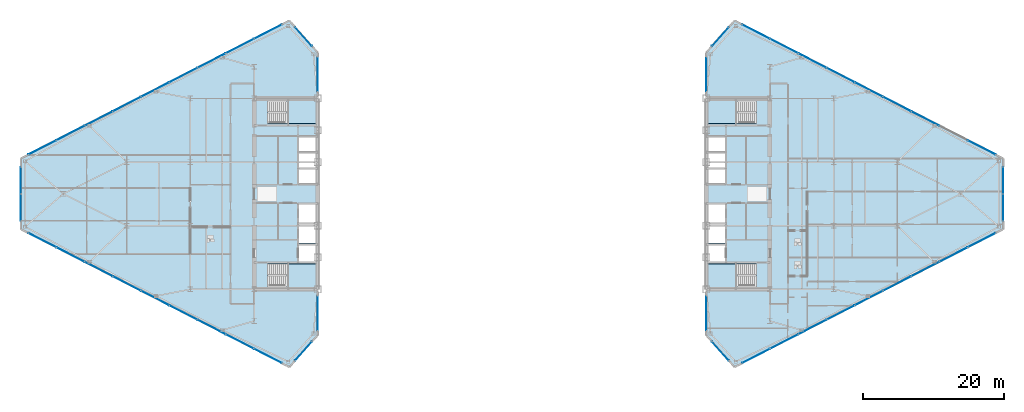
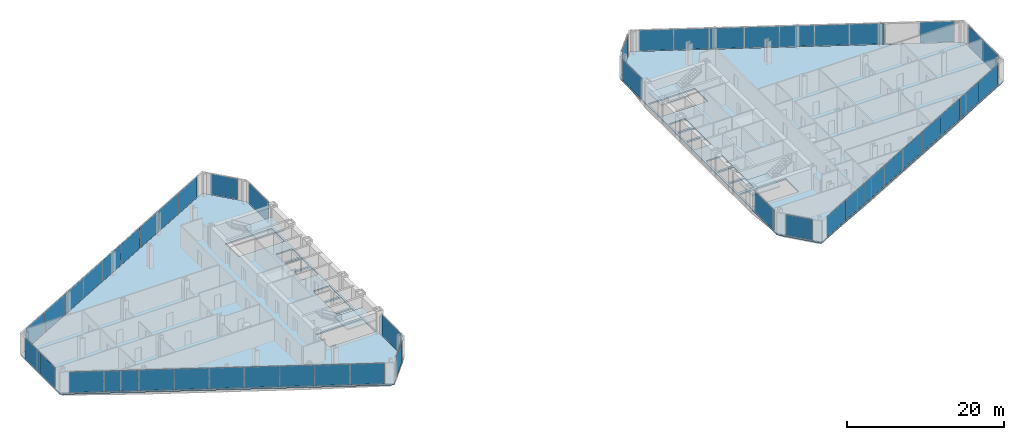
# One storey, part 14 of 23: 47 plates, 6 slabs, 18 elements without a shape of their own.
"""IFC4 building model written with IfcOpenShell, lengths in metres."""

from ifc_helpers import new_model, si_unit, direction, frame, origin, origin_2d, place, context, subcontext, project, spatial, polyline, rectangle, outline, extrude, source, transform, mapped, material, layer, layer_set, type_object, type_shapes, element, aggregate, save


model = new_model("IFC4")

# Units and contexts
model_context = context("Model", 3, precision=1e-05, world=origin(), true_north=direction((0.0, 1.0)))
body_context = subcontext(model_context, "Body", "Model", "MODEL_VIEW")
ifc_project = project(units=[si_unit("LENGTHUNIT", "METRE"), si_unit("AREAUNIT", "SQUARE_METRE"), si_unit("VOLUMEUNIT", "CUBIC_METRE"), si_unit("PLANEANGLEUNIT", "RADIAN"), si_unit("MASSUNIT", "GRAM", prefix="KILO")], contexts=[model_context])

# Site, building, storey
site_placement = place(None, origin())
site = spatial("IfcSite", under=ifc_project, at=site_placement, CompositionType="ELEMENT")
building_placement = place(site_placement, origin())
building = spatial("IfcBuilding", under=site, at=building_placement, Name="Seokmaru Belvedere", CompositionType="ELEMENT")
storey_placement = place(building_placement, frame((0.0, 0.0, 132.0)))
storey = spatial("IfcBuildingStorey", under=building, at=storey_placement, Name="L35", CompositionType="ELEMENT", Elevation=132.0)

# Stair, slab
ifc_material_1 = material(Name="Concrete C40 (40 MPa)", Category="concrete")
stair_type = type_object("IfcStairType", Name="Typical Tower Core Dog-Leg Stair 3600", PredefinedType="TWO_STRAIGHT_RUN_STAIR", material=ifc_material_1)
stair_1_placement = place(storey_placement, origin())
stair_1 = element("IfcStair", 1, at=stair_1_placement, inside=storey, type_object=stair_type, Name="L35 Special Escape Stair ST-W1", PredefinedType="TWO_STRAIGHT_RUN_STAIR")
ifc_layer_1 = layer(ifc_material_1, 0.199951171875)
ifc_layer_set_1 = layer_set([ifc_layer_1], Name="Concrete C40 (40 MPa)")
slab_type_1 = type_object("IfcSlabType", Name="Reinforced Concrete Stair Landing Slab 200", PredefinedType="LANDING", material=ifc_layer_set_1)
slab_1_placement = place(storey_placement, frame((0.0, 0.0, 1.60009765625)))
slab_1 = element("IfcSlab", 2, at=slab_1_placement, type_object=slab_type_1, Name="ST-W1 landing 1", PredefinedType="LANDING", context=body_context, shape_type="SweptSolid", body=[
    extrude(outline(polyline([(-31.8798828125, -13.239990234375), (-27.760009765625, -13.239990234375), (-27.760009765625, -9.949951171875), (-31.8798828125, -9.949951171875), (-31.8798828125, -13.239990234375)])), origin(), (0.0, 0.0, 1.0), 0.199951171875),
])
aggregate(stair_1, [slab_1])

stair_2_placement = place(storey_placement, origin())
stair_2 = element("IfcStair", 3, at=stair_2_placement, inside=storey, type_object=stair_type, Name="L35 Special Escape Stair ST-W2", PredefinedType="TWO_STRAIGHT_RUN_STAIR")
slab_2_placement = place(storey_placement, frame((0.0, 0.0, 1.60009765625)))
slab_2 = element("IfcSlab", 4, at=slab_2_placement, type_object=slab_type_1, Name="ST-W2 landing 1", PredefinedType="LANDING", context=body_context, shape_type="SweptSolid", body=[
    extrude(outline(polyline([(-31.8798828125, 9.949951171875), (-27.760009765625, 9.949951171875), (-27.760009765625, 13.239990234375), (-31.8798828125, 13.239990234375), (-31.8798828125, 9.949951171875)])), origin(), (0.0, 0.0, 1.0), 0.199951171875),
])
aggregate(stair_2, [slab_2])

stair_3_placement = place(storey_placement, origin())
stair_3 = element("IfcStair", 5, at=stair_3_placement, inside=storey, type_object=stair_type, Name="L35 Special Escape Stair ST-E1", PredefinedType="TWO_STRAIGHT_RUN_STAIR")
slab_3_placement = place(storey_placement, frame((0.0, 0.0, 1.60009765625)))
slab_3 = element("IfcSlab", 6, at=slab_3_placement, type_object=slab_type_1, Name="ST-E1 landing 1", PredefinedType="LANDING", context=body_context, shape_type="SweptSolid", body=[
    extrude(outline(polyline([(27.760009765625, -13.239990234375), (31.8798828125, -13.239990234375), (31.8798828125, -9.949951171875), (27.760009765625, -9.949951171875), (27.760009765625, -13.239990234375)])), origin(), (0.0, 0.0, 1.0), 0.199951171875),
])
aggregate(stair_3, [slab_3])

stair_4_placement = place(storey_placement, origin())
stair_4 = element("IfcStair", 7, at=stair_4_placement, inside=storey, type_object=stair_type, Name="L35 Special Escape Stair ST-E2", PredefinedType="TWO_STRAIGHT_RUN_STAIR")
slab_4_placement = place(storey_placement, frame((0.0, 0.0, 1.60009765625)))
slab_4 = element("IfcSlab", 8, at=slab_4_placement, type_object=slab_type_1, Name="ST-E2 landing 1", PredefinedType="LANDING", context=body_context, shape_type="SweptSolid", body=[
    extrude(outline(polyline([(27.760009765625, 9.949951171875), (31.8798828125, 9.949951171875), (31.8798828125, 13.239990234375), (27.760009765625, 13.239990234375), (27.760009765625, 9.949951171875)])), origin(), (0.0, 0.0, 1.0), 0.199951171875),
])
aggregate(stair_4, [slab_4])

# Slabs
ifc_layer_2 = layer(ifc_material_1, 0.219970703125)
ifc_layer_set_2 = layer_set([ifc_layer_2], Name="Concrete C40 (40 MPa)")
slab_type_2 = type_object("IfcSlabType", Name="Typical Tower Composite Floor Slab 220", PredefinedType="FLOOR", material=ifc_layer_set_2)
slab_5_placement = place(storey_placement, frame((0.0, 0.0, -0.219970703125)))
element("IfcSlab", 9, at=slab_5_placement, inside=storey, type_object=slab_type_2, Name="L35 West Leg Floor Slab", PredefinedType="FLOOR", context=body_context, shape_type="SweptSolid", body=[
    extrude(outline(polyline([(-27.5, -20.0), (-27.5, 20.0), (-31.5, 24.5), (-69.5, 5.0), (-69.5, -5.0), (-31.5, -24.5), (-27.5, -20.0)]), holes=[polyline([(-34.60009765625, -13.25), (-27.75, -13.25), (-27.75, -9.949951171875), (-34.60009765625, -9.949951171875), (-34.60009765625, -13.25)]), polyline([(-34.60009765625, 9.949951171875), (-27.75, 9.949951171875), (-27.75, 13.25), (-34.60009765625, 13.25), (-34.60009765625, 9.949951171875)]), polyline([(-30.14990234375, -9.550048828125), (-27.75, -9.550048828125), (-27.75, -7.25), (-30.14990234375, -7.25), (-30.14990234375, -9.550048828125)]), polyline([(-30.14990234375, -6.949951171875), (-27.75, -6.949951171875), (-27.75, -4.35009765625), (-30.14990234375, -4.35009765625), (-30.14990234375, -6.949951171875)]), polyline([(-30.14990234375, -4.050048828125), (-27.75, -4.050048828125), (-27.75, -1.449951171875), (-30.14990234375, -1.449951171875), (-30.14990234375, -4.050048828125)]), polyline([(-30.14990234375, 1.449951171875), (-27.75, 1.449951171875), (-27.75, 3.449951171875), (-30.14990234375, 3.449951171875), (-30.14990234375, 1.449951171875)]), polyline([(-30.14990234375, 3.75), (-27.75, 3.75), (-27.75, 5.75), (-30.14990234375, 5.75), (-30.14990234375, 3.75)]), polyline([(-30.14990234375, 6.050048828125), (-27.75, 6.050048828125), (-27.75, 8.050048828125), (-30.14990234375, 8.050048828125), (-30.14990234375, 6.050048828125)])]), origin(), (0.0, 0.0, 1.0), 0.219970703125),
])
slab_6_placement = place(storey_placement, frame((0.0, 0.0, -0.219970703125)))
element("IfcSlab", 10, at=slab_6_placement, inside=storey, type_object=slab_type_2, Name="L35 East Leg Floor Slab", PredefinedType="FLOOR", context=body_context, shape_type="SweptSolid", body=[
    extrude(outline(polyline([(31.5, -24.5), (69.5, -5.0), (69.5, 5.0), (31.5, 24.5), (27.5, 20.0), (27.5, -20.0), (31.5, -24.5)]), holes=[polyline([(27.75, -13.25), (34.60009765625, -13.25), (34.60009765625, -9.949951171875), (27.75, -9.949951171875), (27.75, -13.25)]), polyline([(27.75, 9.949951171875), (34.60009765625, 9.949951171875), (34.60009765625, 13.25), (27.75, 13.25), (27.75, 9.949951171875)]), polyline([(27.75, -9.550048828125), (30.14990234375, -9.550048828125), (30.14990234375, -7.25), (27.75, -7.25), (27.75, -9.550048828125)]), polyline([(27.75, -6.949951171875), (30.14990234375, -6.949951171875), (30.14990234375, -4.35009765625), (27.75, -4.35009765625), (27.75, -6.949951171875)]), polyline([(27.75, -4.050048828125), (30.14990234375, -4.050048828125), (30.14990234375, -1.449951171875), (27.75, -1.449951171875), (27.75, -4.050048828125)]), polyline([(27.75, 1.449951171875), (30.14990234375, 1.449951171875), (30.14990234375, 3.449951171875), (27.75, 3.449951171875), (27.75, 1.449951171875)]), polyline([(27.75, 3.75), (30.14990234375, 3.75), (30.14990234375, 5.75), (27.75, 5.75), (27.75, 3.75)]), polyline([(27.75, 6.050048828125), (30.14990234375, 6.050048828125), (30.14990234375, 8.050048828125), (27.75, 8.050048828125), (27.75, 6.050048828125)])]), origin(), (0.0, 0.0, 1.0), 0.219970703125),
])

# Curtain wall, plate
ifc_material_2 = material(Name="Bronze Triple Insulating Glass", Category="glass")
ifc_layer_3 = layer(ifc_material_2, 0.195068359375)
ifc_layer_set_3 = layer_set([ifc_layer_3], Name="Bronze Triple Insulating Glass")
curtain_wall_type = type_object("IfcCurtainWallType", Name="Sky-Lobby and Mid-Rise Curtain Wall System CW-4", PredefinedType="NOTDEFINED", material=ifc_layer_set_3)
curtain_wall_1_placement = place(storey_placement, origin())
curtain_wall_1 = element("IfcCurtainWall", 11, at=curtain_wall_1_placement, inside=storey, type_object=curtain_wall_type, Name="L35 Curtain Wall WSP_1", PredefinedType="NOTDEFINED")
ifc_layer_4 = layer(ifc_material_2, 0.035888671875)
ifc_layer_set_4 = layer_set([ifc_layer_4], Name="Bronze Triple Insulating Glass")
plate_type = type_object("IfcPlateType", Name="Bronze Triple Vision Glazing Panel 36", PredefinedType="CURTAIN_PANEL", material=ifc_layer_set_4)
shared_shape_1 = source(origin(), body_context, "Body", "SweptSolid", [
    extrude(rectangle(XDim=4.909912109375, YDim=0.035888671875, at=origin_2d()), origin(), (0.0, 0.0, 1.0), 3.2099609375),
])
plate_1_placement = place(storey_placement, frame((-27.5, -16.905029296875, 0.06494140625), z_axis=(0.0, 0.0, 1.0), x_axis=(0.0, 1.0, 0.0)))
plate_1 = element("IfcPlate", 12, at=plate_1_placement, type_object=plate_type, Name="CW:L35:WSP_1 Glazing Panel 1-1", PredefinedType="CURTAIN_PANEL", context=body_context, shape_type="MappedRepresentation", body=[
    mapped(shared_shape_1, transform((0.0, 0.0, 0.0), scale=1.0)),
])
aggregate(curtain_wall_1, [plate_1])

curtain_wall_2_placement = place(storey_placement, origin())
curtain_wall_2 = element("IfcCurtainWall", 13, at=curtain_wall_2_placement, inside=storey, type_object=curtain_wall_type, Name="L35 Curtain Wall WSP_2", PredefinedType="NOTDEFINED")
plate_2_placement = place(storey_placement, frame((-27.5, 16.905029296875, 0.06494140625), z_axis=(0.0, 0.0, 1.0), x_axis=(0.0, 1.0, 0.0)))
plate_2 = element("IfcPlate", 14, at=plate_2_placement, type_object=plate_type, Name="CW:L35:WSP_2 Glazing Panel 1-1", PredefinedType="CURTAIN_PANEL", context=body_context, shape_type="MappedRepresentation", body=[
    mapped(shared_shape_1, transform((0.0, 0.0, 0.0), scale=1.0)),
])
aggregate(curtain_wall_2, [plate_2])

curtain_wall_3_placement = place(storey_placement, origin())
curtain_wall_3 = element("IfcCurtainWall", 15, at=curtain_wall_3_placement, inside=storey, type_object=curtain_wall_type, Name="L35 Curtain Wall ESP_1", PredefinedType="NOTDEFINED")
plate_3_placement = place(storey_placement, frame((27.5, -16.905029296875, 0.06494140625), z_axis=(0.0, 0.0, 1.0), x_axis=(0.0, -1.0, 0.0)))
plate_3 = element("IfcPlate", 16, at=plate_3_placement, type_object=plate_type, Name="CW:L35:ESP_1 Glazing Panel 1-1", PredefinedType="CURTAIN_PANEL", context=body_context, shape_type="MappedRepresentation", body=[
    mapped(shared_shape_1, transform((0.0, 0.0, 0.0), scale=1.0)),
])
aggregate(curtain_wall_3, [plate_3])

curtain_wall_4_placement = place(storey_placement, origin())
curtain_wall_4 = element("IfcCurtainWall", 17, at=curtain_wall_4_placement, inside=storey, type_object=curtain_wall_type, Name="L35 Curtain Wall ESP_2", PredefinedType="NOTDEFINED")
plate_4_placement = place(storey_placement, frame((27.5, 16.905029296875, 0.06494140625), z_axis=(0.0, 0.0, 1.0), x_axis=(0.0, -1.0, 0.0)))
plate_4 = element("IfcPlate", 18, at=plate_4_placement, type_object=plate_type, Name="CW:L35:ESP_2 Glazing Panel 1-1", PredefinedType="CURTAIN_PANEL", context=body_context, shape_type="MappedRepresentation", body=[
    mapped(shared_shape_1, transform((0.0, 0.0, 0.0), scale=1.0)),
])
aggregate(curtain_wall_4, [plate_4])

curtain_wall_5_placement = place(storey_placement, origin())
curtain_wall_5 = element("IfcCurtainWall", 19, at=curtain_wall_5_placement, inside=storey, type_object=curtain_wall_type, Name="L35 Curtain Wall WF2", PredefinedType="NOTDEFINED")
shared_shape_2 = source(origin(), body_context, "Body", "SweptSolid", [
    extrude(rectangle(XDim=3.580810546875, YDim=0.035888671875, at=origin_2d()), origin(), (0.0, 0.0, 1.0), 3.2099609375),
])
plate_5_placement = place(storey_placement, frame((-29.5, 22.25, 0.06494140625), z_axis=(0.0, 0.0, 1.0), x_axis=(-0.664363325694, 0.747409774804, 0.0)))
plate_5 = element("IfcPlate", 20, at=plate_5_placement, type_object=plate_type, Name="CW:L35:WF2 Glazing Panel 1-1", PredefinedType="CURTAIN_PANEL", context=body_context, shape_type="MappedRepresentation", body=[
    mapped(shared_shape_2, transform((0.0, 0.0, 0.0), scale=1.0)),
])
aggregate(curtain_wall_5, [plate_5])

curtain_wall_6_placement = place(storey_placement, origin())
curtain_wall_6 = element("IfcCurtainWall", 21, at=curtain_wall_6_placement, inside=storey, type_object=curtain_wall_type, Name="L35 Curtain Wall WF6", PredefinedType="NOTDEFINED")
plate_6_placement = place(storey_placement, frame((-29.5, -22.25, 0.06494140625), z_axis=(0.0, 0.0, 1.0), x_axis=(0.664363325694, 0.747409774804, 0.0)))
plate_6 = element("IfcPlate", 22, at=plate_6_placement, type_object=plate_type, Name="CW:L35:WF6 Glazing Panel 1-1", PredefinedType="CURTAIN_PANEL", context=body_context, shape_type="MappedRepresentation", body=[
    mapped(shared_shape_2, transform((0.0, 0.0, 0.0), scale=1.0)),
])
aggregate(curtain_wall_6, [plate_6])

curtain_wall_7_placement = place(storey_placement, origin())
curtain_wall_7 = element("IfcCurtainWall", 23, at=curtain_wall_7_placement, inside=storey, type_object=curtain_wall_type, Name="L35 Curtain Wall EF4", PredefinedType="NOTDEFINED")
plate_7_placement = place(storey_placement, frame((29.5, 22.25, 0.06494140625), z_axis=(0.0, 0.0, 1.0), x_axis=(-0.664363325694, -0.747409774804, 0.0)))
plate_7 = element("IfcPlate", 24, at=plate_7_placement, type_object=plate_type, Name="CW:L35:EF4 Glazing Panel 1-1", PredefinedType="CURTAIN_PANEL", context=body_context, shape_type="MappedRepresentation", body=[
    mapped(shared_shape_2, transform((0.0, 0.0, 0.0), scale=1.0)),
])
aggregate(curtain_wall_7, [plate_7])

curtain_wall_8_placement = place(storey_placement, origin())
curtain_wall_8 = element("IfcCurtainWall", 25, at=curtain_wall_8_placement, inside=storey, type_object=curtain_wall_type, Name="L35 Curtain Wall EF6", PredefinedType="NOTDEFINED")
plate_8_placement = place(storey_placement, frame((29.5, -22.25, 0.06494140625), z_axis=(0.0, 0.0, 1.0), x_axis=(0.664363325694, -0.747409774804, 0.0)))
plate_8 = element("IfcPlate", 26, at=plate_8_placement, type_object=plate_type, Name="CW:L35:EF6 Glazing Panel 1-1", PredefinedType="CURTAIN_PANEL", context=body_context, shape_type="MappedRepresentation", body=[
    mapped(shared_shape_2, transform((0.0, 0.0, 0.0), scale=1.0)),
])
aggregate(curtain_wall_8, [plate_8])

# Curtain wall, plates
curtain_wall_9_placement = place(storey_placement, origin())
curtain_wall_9 = element("IfcCurtainWall", 27, at=curtain_wall_9_placement, inside=storey, type_object=curtain_wall_type, Name="L35 Curtain Wall WF3", PredefinedType="NOTDEFINED")
shared_shape_3 = source(origin(), body_context, "Body", "SweptSolid", [
    extrude(rectangle(XDim=4.38525390625, YDim=0.035888671875, at=origin_2d()), origin(), (0.0, 0.0, 1.0), 3.2099609375),
])
plate_9_placement = place(storey_placement, frame((-34.5361328125, 22.94189453125, 0.06494140625), z_axis=(0.0, 0.0, 1.0), x_axis=(-0.889695432562, -0.456554528263, 0.0)))
plate_9 = element("IfcPlate", 28, at=plate_9_placement, type_object=plate_type, Name="CW:L35:WF3 Glazing Panel 1-1", PredefinedType="CURTAIN_PANEL", context=body_context, shape_type="MappedRepresentation", body=[
    mapped(shared_shape_3, transform((0.0, 0.0, 0.0), scale=1.0)),
])
plate_10_placement = place(storey_placement, frame((-66.4638671875, 6.55810546875, 0.06494140625), z_axis=(0.0, 0.0, 1.0), x_axis=(-0.889695432562, -0.456554528263, 0.0)))
plate_10 = element("IfcPlate", 29, at=plate_10_placement, type_object=plate_type, Name="CW:L35:WF3 Glazing Panel 9-1", PredefinedType="CURTAIN_PANEL", context=body_context, shape_type="MappedRepresentation", body=[
    mapped(shared_shape_3, transform((0.0, 0.0, 0.0), scale=1.0)),
])

curtain_wall_10_placement = place(storey_placement, origin())
curtain_wall_10 = element("IfcCurtainWall", 30, at=curtain_wall_10_placement, inside=storey, type_object=curtain_wall_type, Name="L35 Curtain Wall WF5", PredefinedType="NOTDEFINED")
plate_11_placement = place(storey_placement, frame((-66.4638671875, -6.55810546875, 0.06494140625), z_axis=(0.0, 0.0, 1.0), x_axis=(0.889695432562, -0.456554528263, 0.0)))
plate_11 = element("IfcPlate", 31, at=plate_11_placement, type_object=plate_type, Name="CW:L35:WF5 Glazing Panel 1-1", PredefinedType="CURTAIN_PANEL", context=body_context, shape_type="MappedRepresentation", body=[
    mapped(shared_shape_3, transform((0.0, 0.0, 0.0), scale=1.0)),
])
plate_12_placement = place(storey_placement, frame((-34.5361328125, -22.94189453125, 0.06494140625), z_axis=(0.0, 0.0, 1.0), x_axis=(0.889695432562, -0.456554528263, 0.0)))
plate_12 = element("IfcPlate", 32, at=plate_12_placement, type_object=plate_type, Name="CW:L35:WF5 Glazing Panel 9-1", PredefinedType="CURTAIN_PANEL", context=body_context, shape_type="MappedRepresentation", body=[
    mapped(shared_shape_3, transform((0.0, 0.0, 0.0), scale=1.0)),
])

curtain_wall_11_placement = place(storey_placement, origin())
curtain_wall_11 = element("IfcCurtainWall", 33, at=curtain_wall_11_placement, inside=storey, type_object=curtain_wall_type, Name="L35 Curtain Wall EF1", PredefinedType="NOTDEFINED")
plate_13_placement = place(storey_placement, frame((34.5361328125, -22.94189453125, 0.06494140625), z_axis=(0.0, 0.0, 1.0), x_axis=(0.889695432562, 0.456554528263, 0.0)))
plate_13 = element("IfcPlate", 34, at=plate_13_placement, type_object=plate_type, Name="CW:L35:EF1 Glazing Panel 1-1", PredefinedType="CURTAIN_PANEL", context=body_context, shape_type="MappedRepresentation", body=[
    mapped(shared_shape_3, transform((0.0, 0.0, 0.0), scale=1.0)),
])
plate_14_placement = place(storey_placement, frame((66.4638671875, -6.55810546875, 0.06494140625), z_axis=(0.0, 0.0, 1.0), x_axis=(0.889695432562, 0.456554528263, 0.0)))
plate_14 = element("IfcPlate", 35, at=plate_14_placement, type_object=plate_type, Name="CW:L35:EF1 Glazing Panel 9-1", PredefinedType="CURTAIN_PANEL", context=body_context, shape_type="MappedRepresentation", body=[
    mapped(shared_shape_3, transform((0.0, 0.0, 0.0), scale=1.0)),
])

curtain_wall_12_placement = place(storey_placement, origin())
curtain_wall_12 = element("IfcCurtainWall", 36, at=curtain_wall_12_placement, inside=storey, type_object=curtain_wall_type, Name="L35 Curtain Wall EF3", PredefinedType="NOTDEFINED")
plate_15_placement = place(storey_placement, frame((66.4638671875, 6.55810546875, 0.06494140625), z_axis=(0.0, 0.0, 1.0), x_axis=(-0.889695432562, 0.456554528263, 0.0)))
plate_15 = element("IfcPlate", 37, at=plate_15_placement, type_object=plate_type, Name="CW:L35:EF3 Glazing Panel 1-1", PredefinedType="CURTAIN_PANEL", context=body_context, shape_type="MappedRepresentation", body=[
    mapped(shared_shape_3, transform((0.0, 0.0, 0.0), scale=1.0)),
])
plate_16_placement = place(storey_placement, frame((34.5361328125, 22.94189453125, 0.06494140625), z_axis=(0.0, 0.0, 1.0), x_axis=(-0.889695432562, 0.456554528263, 0.0)))
plate_16 = element("IfcPlate", 38, at=plate_16_placement, type_object=plate_type, Name="CW:L35:EF3 Glazing Panel 9-1", PredefinedType="CURTAIN_PANEL", context=body_context, shape_type="MappedRepresentation", body=[
    mapped(shared_shape_3, transform((0.0, 0.0, 0.0), scale=1.0)),
])

# Plate
shared_shape_4 = source(origin(), body_context, "Body", "SweptSolid", [
    extrude(rectangle(XDim=4.420166015625, YDim=0.035888671875, at=origin_2d()), origin(), (0.0, 0.0, 1.0), 3.2099609375),
])
plate_17_placement = place(storey_placement, frame((-38.515380859375, 20.89990234375, 0.06494140625), z_axis=(0.0, 0.0, 1.0), x_axis=(-0.889695432562, -0.456554528263, 0.0)))
plate_17 = element("IfcPlate", 39, at=plate_17_placement, type_object=plate_type, Name="CW:L35:WF3 Glazing Panel 2-1", PredefinedType="CURTAIN_PANEL", context=body_context, shape_type="MappedRepresentation", body=[
    mapped(shared_shape_4, transform((0.0, 0.0, 0.0), scale=1.0)),
])

plate_18_placement = place(storey_placement, frame((-42.51025390625, 18.85009765625, 0.06494140625), z_axis=(0.0, 0.0, 1.0), x_axis=(-0.889695432562, -0.456554528263, 0.0)))
plate_18 = element("IfcPlate", 40, at=plate_18_placement, type_object=plate_type, Name="CW:L35:WF3 Glazing Panel 3-1", PredefinedType="CURTAIN_PANEL", context=body_context, shape_type="MappedRepresentation", body=[
    mapped(shared_shape_4, transform((0.0, 0.0, 0.0), scale=1.0)),
])

plate_19_placement = place(storey_placement, frame((-46.505126953125, 16.800048828125, 0.06494140625), z_axis=(0.0, 0.0, 1.0), x_axis=(-0.889695432562, -0.456554528263, 0.0)))
plate_19 = element("IfcPlate", 41, at=plate_19_placement, type_object=plate_type, Name="CW:L35:WF3 Glazing Panel 4-1", PredefinedType="CURTAIN_PANEL", context=body_context, shape_type="MappedRepresentation", body=[
    mapped(shared_shape_4, transform((0.0, 0.0, 0.0), scale=1.0)),
])

plate_20_placement = place(storey_placement, frame((-50.5, 14.75, 0.06494140625), z_axis=(0.0, 0.0, 1.0), x_axis=(-0.889695432562, -0.456554528263, 0.0)))
plate_20 = element("IfcPlate", 42, at=plate_20_placement, type_object=plate_type, Name="CW:L35:WF3 Glazing Panel 5-1", PredefinedType="CURTAIN_PANEL", context=body_context, shape_type="MappedRepresentation", body=[
    mapped(shared_shape_4, transform((0.0, 0.0, 0.0), scale=1.0)),
])

plate_21_placement = place(storey_placement, frame((-54.494873046875, 12.699951171875, 0.06494140625), z_axis=(0.0, 0.0, 1.0), x_axis=(-0.889695432562, -0.456554528263, 0.0)))
plate_21 = element("IfcPlate", 43, at=plate_21_placement, type_object=plate_type, Name="CW:L35:WF3 Glazing Panel 6-1", PredefinedType="CURTAIN_PANEL", context=body_context, shape_type="MappedRepresentation", body=[
    mapped(shared_shape_4, transform((0.0, 0.0, 0.0), scale=1.0)),
])

plate_22_placement = place(storey_placement, frame((-58.48974609375, 10.64990234375, 0.06494140625), z_axis=(0.0, 0.0, 1.0), x_axis=(-0.889695432562, -0.456554528263, 0.0)))
plate_22 = element("IfcPlate", 44, at=plate_22_placement, type_object=plate_type, Name="CW:L35:WF3 Glazing Panel 7-1", PredefinedType="CURTAIN_PANEL", context=body_context, shape_type="MappedRepresentation", body=[
    mapped(shared_shape_4, transform((0.0, 0.0, 0.0), scale=1.0)),
])

plate_23_placement = place(storey_placement, frame((-62.484619140625, 8.60009765625, 0.06494140625), z_axis=(0.0, 0.0, 1.0), x_axis=(-0.889695432562, -0.456554528263, 0.0)))
plate_23 = element("IfcPlate", 45, at=plate_23_placement, type_object=plate_type, Name="CW:L35:WF3 Glazing Panel 8-1", PredefinedType="CURTAIN_PANEL", context=body_context, shape_type="MappedRepresentation", body=[
    mapped(shared_shape_4, transform((0.0, 0.0, 0.0), scale=1.0)),
])

aggregate(curtain_wall_9, [plate_9, plate_17, plate_18, plate_19, plate_20, plate_21, plate_22, plate_23, plate_10])

plate_24_placement = place(storey_placement, frame((-62.484619140625, -8.60009765625, 0.06494140625), z_axis=(0.0, 0.0, 1.0), x_axis=(0.889695432562, -0.456554528263, 0.0)))
plate_24 = element("IfcPlate", 46, at=plate_24_placement, type_object=plate_type, Name="CW:L35:WF5 Glazing Panel 2-1", PredefinedType="CURTAIN_PANEL", context=body_context, shape_type="MappedRepresentation", body=[
    mapped(shared_shape_4, transform((0.0, 0.0, 0.0), scale=1.0)),
])

plate_25_placement = place(storey_placement, frame((-58.48974609375, -10.64990234375, 0.06494140625), z_axis=(0.0, 0.0, 1.0), x_axis=(0.889695432562, -0.456554528263, 0.0)))
plate_25 = element("IfcPlate", 47, at=plate_25_placement, type_object=plate_type, Name="CW:L35:WF5 Glazing Panel 3-1", PredefinedType="CURTAIN_PANEL", context=body_context, shape_type="MappedRepresentation", body=[
    mapped(shared_shape_4, transform((0.0, 0.0, 0.0), scale=1.0)),
])

plate_26_placement = place(storey_placement, frame((-54.494873046875, -12.699951171875, 0.06494140625), z_axis=(0.0, 0.0, 1.0), x_axis=(0.889695432562, -0.456554528263, 0.0)))
plate_26 = element("IfcPlate", 48, at=plate_26_placement, type_object=plate_type, Name="CW:L35:WF5 Glazing Panel 4-1", PredefinedType="CURTAIN_PANEL", context=body_context, shape_type="MappedRepresentation", body=[
    mapped(shared_shape_4, transform((0.0, 0.0, 0.0), scale=1.0)),
])

plate_27_placement = place(storey_placement, frame((-50.5, -14.75, 0.06494140625), z_axis=(0.0, 0.0, 1.0), x_axis=(0.889695432562, -0.456554528263, 0.0)))
plate_27 = element("IfcPlate", 49, at=plate_27_placement, type_object=plate_type, Name="CW:L35:WF5 Glazing Panel 5-1", PredefinedType="CURTAIN_PANEL", context=body_context, shape_type="MappedRepresentation", body=[
    mapped(shared_shape_4, transform((0.0, 0.0, 0.0), scale=1.0)),
])

plate_28_placement = place(storey_placement, frame((-46.505126953125, -16.800048828125, 0.06494140625), z_axis=(0.0, 0.0, 1.0), x_axis=(0.889695432562, -0.456554528263, 0.0)))
plate_28 = element("IfcPlate", 50, at=plate_28_placement, type_object=plate_type, Name="CW:L35:WF5 Glazing Panel 6-1", PredefinedType="CURTAIN_PANEL", context=body_context, shape_type="MappedRepresentation", body=[
    mapped(shared_shape_4, transform((0.0, 0.0, 0.0), scale=1.0)),
])

plate_29_placement = place(storey_placement, frame((-42.51025390625, -18.85009765625, 0.06494140625), z_axis=(0.0, 0.0, 1.0), x_axis=(0.889695432562, -0.456554528263, 0.0)))
plate_29 = element("IfcPlate", 51, at=plate_29_placement, type_object=plate_type, Name="CW:L35:WF5 Glazing Panel 7-1", PredefinedType="CURTAIN_PANEL", context=body_context, shape_type="MappedRepresentation", body=[
    mapped(shared_shape_4, transform((0.0, 0.0, 0.0), scale=1.0)),
])

plate_30_placement = place(storey_placement, frame((-38.515380859375, -20.89990234375, 0.06494140625), z_axis=(0.0, 0.0, 1.0), x_axis=(0.889695432562, -0.456554528263, 0.0)))
plate_30 = element("IfcPlate", 52, at=plate_30_placement, type_object=plate_type, Name="CW:L35:WF5 Glazing Panel 8-1", PredefinedType="CURTAIN_PANEL", context=body_context, shape_type="MappedRepresentation", body=[
    mapped(shared_shape_4, transform((0.0, 0.0, 0.0), scale=1.0)),
])

aggregate(curtain_wall_10, [plate_11, plate_24, plate_25, plate_26, plate_27, plate_28, plate_29, plate_30, plate_12])

plate_31_placement = place(storey_placement, frame((38.515380859375, -20.89990234375, 0.06494140625), z_axis=(0.0, 0.0, 1.0), x_axis=(0.889695432562, 0.456554528263, 0.0)))
plate_31 = element("IfcPlate", 53, at=plate_31_placement, type_object=plate_type, Name="CW:L35:EF1 Glazing Panel 2-1", PredefinedType="CURTAIN_PANEL", context=body_context, shape_type="MappedRepresentation", body=[
    mapped(shared_shape_4, transform((0.0, 0.0, 0.0), scale=1.0)),
])

plate_32_placement = place(storey_placement, frame((42.51025390625, -18.85009765625, 0.06494140625), z_axis=(0.0, 0.0, 1.0), x_axis=(0.889695432562, 0.456554528263, 0.0)))
plate_32 = element("IfcPlate", 54, at=plate_32_placement, type_object=plate_type, Name="CW:L35:EF1 Glazing Panel 3-1", PredefinedType="CURTAIN_PANEL", context=body_context, shape_type="MappedRepresentation", body=[
    mapped(shared_shape_4, transform((0.0, 0.0, 0.0), scale=1.0)),
])

plate_33_placement = place(storey_placement, frame((46.505126953125, -16.800048828125, 0.06494140625), z_axis=(0.0, 0.0, 1.0), x_axis=(0.889695432562, 0.456554528263, 0.0)))
plate_33 = element("IfcPlate", 55, at=plate_33_placement, type_object=plate_type, Name="CW:L35:EF1 Glazing Panel 4-1", PredefinedType="CURTAIN_PANEL", context=body_context, shape_type="MappedRepresentation", body=[
    mapped(shared_shape_4, transform((0.0, 0.0, 0.0), scale=1.0)),
])

plate_34_placement = place(storey_placement, frame((50.5, -14.75, 0.06494140625), z_axis=(0.0, 0.0, 1.0), x_axis=(0.889695432562, 0.456554528263, 0.0)))
plate_34 = element("IfcPlate", 56, at=plate_34_placement, type_object=plate_type, Name="CW:L35:EF1 Glazing Panel 5-1", PredefinedType="CURTAIN_PANEL", context=body_context, shape_type="MappedRepresentation", body=[
    mapped(shared_shape_4, transform((0.0, 0.0, 0.0), scale=1.0)),
])

plate_35_placement = place(storey_placement, frame((54.494873046875, -12.699951171875, 0.06494140625), z_axis=(0.0, 0.0, 1.0), x_axis=(0.889695432562, 0.456554528263, 0.0)))
plate_35 = element("IfcPlate", 57, at=plate_35_placement, type_object=plate_type, Name="CW:L35:EF1 Glazing Panel 6-1", PredefinedType="CURTAIN_PANEL", context=body_context, shape_type="MappedRepresentation", body=[
    mapped(shared_shape_4, transform((0.0, 0.0, 0.0), scale=1.0)),
])

plate_36_placement = place(storey_placement, frame((58.48974609375, -10.64990234375, 0.06494140625), z_axis=(0.0, 0.0, 1.0), x_axis=(0.889695432562, 0.456554528263, 0.0)))
plate_36 = element("IfcPlate", 58, at=plate_36_placement, type_object=plate_type, Name="CW:L35:EF1 Glazing Panel 7-1", PredefinedType="CURTAIN_PANEL", context=body_context, shape_type="MappedRepresentation", body=[
    mapped(shared_shape_4, transform((0.0, 0.0, 0.0), scale=1.0)),
])

plate_37_placement = place(storey_placement, frame((62.484619140625, -8.60009765625, 0.06494140625), z_axis=(0.0, 0.0, 1.0), x_axis=(0.889695432562, 0.456554528263, 0.0)))
plate_37 = element("IfcPlate", 59, at=plate_37_placement, type_object=plate_type, Name="CW:L35:EF1 Glazing Panel 8-1", PredefinedType="CURTAIN_PANEL", context=body_context, shape_type="MappedRepresentation", body=[
    mapped(shared_shape_4, transform((0.0, 0.0, 0.0), scale=1.0)),
])

aggregate(curtain_wall_11, [plate_13, plate_31, plate_32, plate_33, plate_34, plate_35, plate_36, plate_37, plate_14])

plate_38_placement = place(storey_placement, frame((58.48974609375, 10.64990234375, 0.06494140625), z_axis=(0.0, 0.0, 1.0), x_axis=(-0.889695432562, 0.456554528263, 0.0)))
plate_38 = element("IfcPlate", 60, at=plate_38_placement, type_object=plate_type, Name="CW:L35:EF3 Glazing Panel 3-1", PredefinedType="CURTAIN_PANEL", context=body_context, shape_type="MappedRepresentation", body=[
    mapped(shared_shape_4, transform((0.0, 0.0, 0.0), scale=1.0)),
])

plate_39_placement = place(storey_placement, frame((54.494873046875, 12.699951171875, 0.06494140625), z_axis=(0.0, 0.0, 1.0), x_axis=(-0.889695432562, 0.456554528263, 0.0)))
plate_39 = element("IfcPlate", 61, at=plate_39_placement, type_object=plate_type, Name="CW:L35:EF3 Glazing Panel 4-1", PredefinedType="CURTAIN_PANEL", context=body_context, shape_type="MappedRepresentation", body=[
    mapped(shared_shape_4, transform((0.0, 0.0, 0.0), scale=1.0)),
])

plate_40_placement = place(storey_placement, frame((50.5, 14.75, 0.06494140625), z_axis=(0.0, 0.0, 1.0), x_axis=(-0.889695432562, 0.456554528263, 0.0)))
plate_40 = element("IfcPlate", 62, at=plate_40_placement, type_object=plate_type, Name="CW:L35:EF3 Glazing Panel 5-1", PredefinedType="CURTAIN_PANEL", context=body_context, shape_type="MappedRepresentation", body=[
    mapped(shared_shape_4, transform((0.0, 0.0, 0.0), scale=1.0)),
])

plate_41_placement = place(storey_placement, frame((46.505126953125, 16.800048828125, 0.06494140625), z_axis=(0.0, 0.0, 1.0), x_axis=(-0.889695432562, 0.456554528263, 0.0)))
plate_41 = element("IfcPlate", 63, at=plate_41_placement, type_object=plate_type, Name="CW:L35:EF3 Glazing Panel 6-1", PredefinedType="CURTAIN_PANEL", context=body_context, shape_type="MappedRepresentation", body=[
    mapped(shared_shape_4, transform((0.0, 0.0, 0.0), scale=1.0)),
])

plate_42_placement = place(storey_placement, frame((42.51025390625, 18.85009765625, 0.06494140625), z_axis=(0.0, 0.0, 1.0), x_axis=(-0.889695432562, 0.456554528263, 0.0)))
plate_42 = element("IfcPlate", 64, at=plate_42_placement, type_object=plate_type, Name="CW:L35:EF3 Glazing Panel 7-1", PredefinedType="CURTAIN_PANEL", context=body_context, shape_type="MappedRepresentation", body=[
    mapped(shared_shape_4, transform((0.0, 0.0, 0.0), scale=1.0)),
])

plate_43_placement = place(storey_placement, frame((38.515380859375, 20.89990234375, 0.06494140625), z_axis=(0.0, 0.0, 1.0), x_axis=(-0.889695432562, 0.456554528263, 0.0)))
plate_43 = element("IfcPlate", 65, at=plate_43_placement, type_object=plate_type, Name="CW:L35:EF3 Glazing Panel 8-1", PredefinedType="CURTAIN_PANEL", context=body_context, shape_type="MappedRepresentation", body=[
    mapped(shared_shape_4, transform((0.0, 0.0, 0.0), scale=1.0)),
])

aggregate(curtain_wall_12, [plate_15, plate_38, plate_39, plate_40, plate_41, plate_42, plate_43, plate_16])

# Curtain wall, plates
curtain_wall_13_placement = place(storey_placement, origin())
curtain_wall_13 = element("IfcCurtainWall", 66, at=curtain_wall_13_placement, inside=storey, type_object=curtain_wall_type, Name="L35 Curtain Wall WF4", PredefinedType="NOTDEFINED")
shared_shape_5 = source(origin(), body_context, "Body", "SweptSolid", [
    extrude(rectangle(XDim=3.7451171875, YDim=0.035888671875, at=origin_2d()), origin(), (0.0, 0.0, 1.0), 3.2099609375),
])
type_shapes(plate_type, [shared_shape_1, shared_shape_2, shared_shape_3, shared_shape_4, shared_shape_5])
plate_44_placement = place(storey_placement, frame((-69.5, 1.907470703125, 0.06494140625), z_axis=(0.0, 0.0, 1.0), x_axis=(0.0, -1.0, 0.0)))
plate_44 = element("IfcPlate", 67, at=plate_44_placement, type_object=plate_type, Name="CW:L35:WF4 Glazing Panel 1-1", PredefinedType="CURTAIN_PANEL", context=body_context, shape_type="MappedRepresentation", body=[
    mapped(shared_shape_5, transform((0.0, 0.0, 0.0), scale=1.0)),
])
plate_45_placement = place(storey_placement, frame((-69.5, -1.907470703125, 0.06494140625), z_axis=(0.0, 0.0, 1.0), x_axis=(0.0, -1.0, 0.0)))
plate_45 = element("IfcPlate", 68, at=plate_45_placement, type_object=plate_type, Name="CW:L35:WF4 Glazing Panel 2-1", PredefinedType="CURTAIN_PANEL", context=body_context, shape_type="MappedRepresentation", body=[
    mapped(shared_shape_5, transform((0.0, 0.0, 0.0), scale=1.0)),
])
aggregate(curtain_wall_13, [plate_44, plate_45])

curtain_wall_14_placement = place(storey_placement, origin())
curtain_wall_14 = element("IfcCurtainWall", 69, at=curtain_wall_14_placement, inside=storey, type_object=curtain_wall_type, Name="L35 Curtain Wall EF2", PredefinedType="NOTDEFINED")
plate_46_placement = place(storey_placement, frame((69.5, -1.907470703125, 0.06494140625), z_axis=(0.0, 0.0, 1.0), x_axis=(0.0, 1.0, 0.0)))
plate_46 = element("IfcPlate", 70, at=plate_46_placement, type_object=plate_type, Name="CW:L35:EF2 Glazing Panel 1-1", PredefinedType="CURTAIN_PANEL", context=body_context, shape_type="MappedRepresentation", body=[
    mapped(shared_shape_5, transform((0.0, 0.0, 0.0), scale=1.0)),
])
plate_47_placement = place(storey_placement, frame((69.5, 1.907470703125, 0.06494140625), z_axis=(0.0, 0.0, 1.0), x_axis=(0.0, 1.0, 0.0)))
plate_47 = element("IfcPlate", 71, at=plate_47_placement, type_object=plate_type, Name="CW:L35:EF2 Glazing Panel 2-1", PredefinedType="CURTAIN_PANEL", context=body_context, shape_type="MappedRepresentation", body=[
    mapped(shared_shape_5, transform((0.0, 0.0, 0.0), scale=1.0)),
])
aggregate(curtain_wall_14, [plate_46, plate_47])

save(model, "model.ifc")
